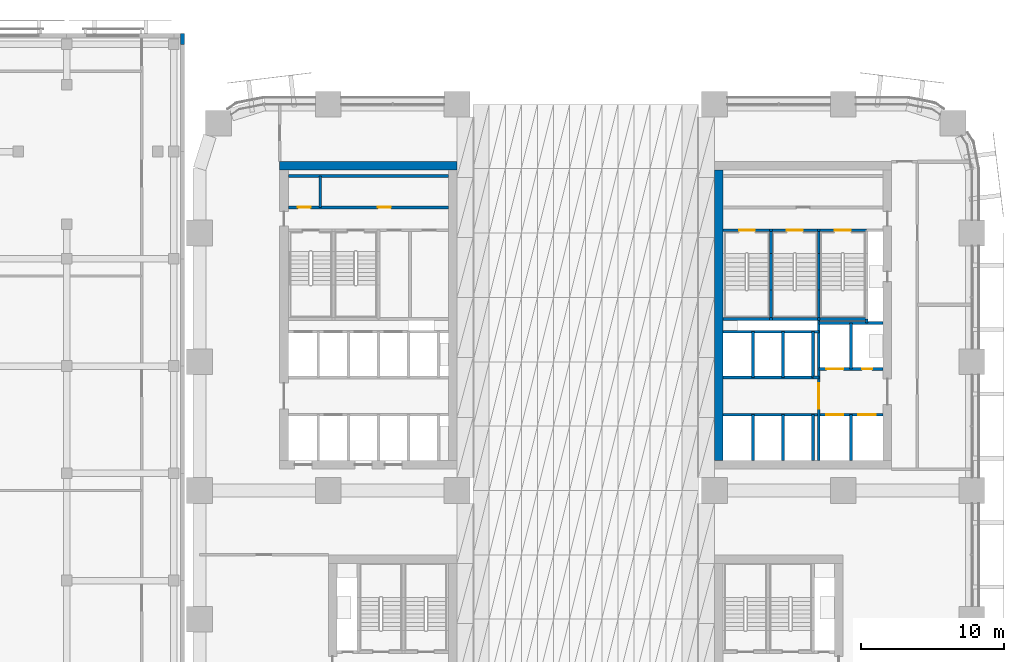
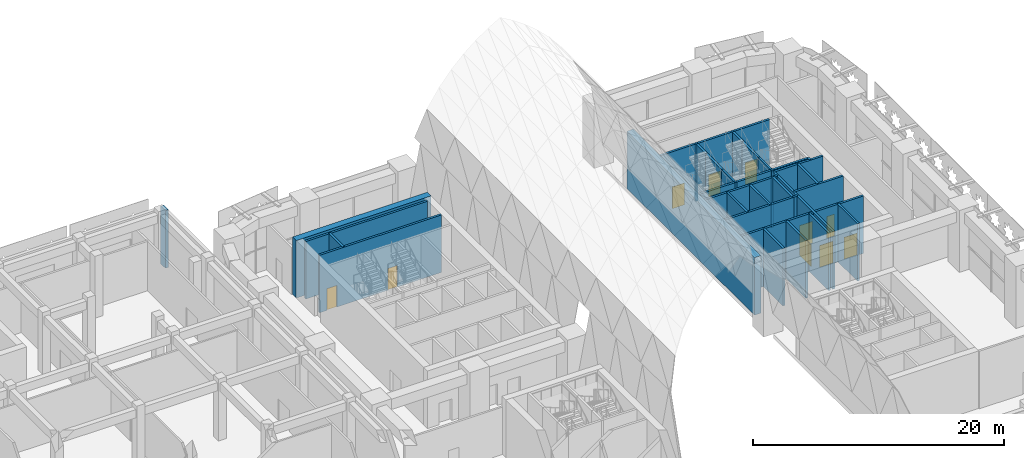
# One storey, part 21 of 46: 38 walls, 10 doors, 10 openings.
"""IFC4 building model written with IfcOpenShell, lengths in metres."""

from ifc_helpers import new_model, si_unit, direction, frame, frame_2d, origin, place, context, subcontext, project, spatial, rectangle, extrude, material, layer, layer_set, type_object, element, fill, save


model = new_model("IFC4")

# Units and contexts
model_context = context("Model", 3, precision=1e-05, world=origin(), true_north=direction((0.0, 1.0)))
body_context = subcontext(model_context, "Body", "Model", "MODEL_VIEW")
ifc_project = project(units=[si_unit("LENGTHUNIT", "METRE"), si_unit("AREAUNIT", "SQUARE_METRE"), si_unit("VOLUMEUNIT", "CUBIC_METRE"), si_unit("PLANEANGLEUNIT", "RADIAN"), si_unit("MASSUNIT", "GRAM", prefix="KILO")], contexts=[model_context])

# Site, building, storey
site_placement = place(None, origin())
site = spatial("IfcSite", under=ifc_project, at=site_placement, CompositionType="ELEMENT")
building_placement = place(site_placement, origin())
building = spatial("IfcBuilding", under=site, at=building_placement, Name="Tessera Arch", CompositionType="ELEMENT")
storey_placement = place(building_placement, frame((0.0, 0.0, 8.0)))
storey = spatial("IfcBuildingStorey", under=building, at=storey_placement, Name="L01", CompositionType="ELEMENT", Elevation=8.0)

# Walls
ifc_material_1 = material(Name="Gypsum board on steel stud", Category="steel")
ifc_layer_1 = layer(ifc_material_1, 0.125)
ifc_layer_set_1 = layer_set([ifc_layer_1], Name="Core partition 125 EI 60")
wall_type_1 = type_object("IfcWallType", Name="Core partition 125 EI 60", PredefinedType="PARTITIONING", material=ifc_layer_set_1)
wall_1_placement = place(storey_placement, frame((42.89990234375, 34.89990234375, 0.0), z_axis=(0.0, 0.0, 1.0), x_axis=(1.0, 0.0, 0.0)))
element("IfcWall", 1, at=wall_1_placement, inside=storey, type_object=wall_type_1, Name="L01 C1 partition wall 21", PredefinedType="PARTITIONING", context=body_context, shape_type="SweptSolid", body=[
    extrude(rectangle(XDim=0.400146484375, YDim=0.199951171875, at=frame_2d((0.2001953125, 0.0))), origin(), (0.0, 0.0, 1.0), 5.590087890625),
])
wall_2_placement = place(storey_placement, frame((8.43994140625, 46.800048828125, 0.0), z_axis=(0.0, 0.0, 1.0), x_axis=(0.0, 1.0, 0.0)))
element("IfcWall", 2, at=wall_2_placement, inside=storey, type_object=wall_type_1, Name="L01 C2 partition wall 3", PredefinedType="PARTITIONING", context=body_context, shape_type="SweptSolid", body=[
    extrude(rectangle(XDim=2.199951171875, YDim=0.199951171875, at=frame_2d((1.10009765625, 0.0))), origin(), (0.0, 0.0, 1.0), 5.590087890625),
])

# Wall, openings, doors
wall_3_placement = place(storey_placement, frame((6.199951171875, 46.800048828125, 0.0), z_axis=(0.0, 0.0, 1.0), x_axis=(1.0, 0.0, 0.0)))
wall_3 = element("IfcWall", 3, at=wall_3_placement, inside=storey, type_object=wall_type_1, Name="L01 C2 partition wall 30", PredefinedType="PARTITIONING", context=body_context, shape_type="SweptSolid", body=[
    extrude(rectangle(XDim=11.199951171875, YDim=0.199951171875, at=frame_2d((5.60009765625, 0.0))), origin(), (0.0, 0.0, 1.0), 5.590087890625),
])
opening_1_placement = place(wall_3_placement, frame((0.669921875, 0.0, 0.0)))
opening_1 = element("IfcOpeningElement", 4, at=opening_1_placement, cuts=wall_3, Name="Opening L01-C25", PredefinedType="OPENING", context=body_context, shape_type="SweptSolid", body=[
    extrude(rectangle(XDim=0.89990234375, YDim=2.10009765625, at=frame_2d((0.449951171875, 1.050048828125))), frame((0.0, 0.10986328125, 0.0), z_axis=(0.0, -1.0, 0.0), x_axis=(1.0, 0.0, 0.0)), (0.0, 0.0, 1.0), 0.219970703125),
])
opening_2_placement = place(wall_3_placement, frame((6.27001953125, 0.0, 0.0)))
opening_2 = element("IfcOpeningElement", 5, at=opening_2_placement, cuts=wall_3, Name="Opening L01-C26", PredefinedType="OPENING", context=body_context, shape_type="SweptSolid", body=[
    extrude(rectangle(XDim=0.89990234375, YDim=2.10009765625, at=frame_2d((0.449951171875, 1.050048828125))), frame((0.0, 0.10986328125, 0.0), z_axis=(0.0, -1.0, 0.0), x_axis=(1.0, 0.0, 0.0)), (0.0, 0.0, 1.0), 0.219970703125),
])
ifc_material_2 = material(Name="Steel door leaf", Category="steel")
door_type_1 = type_object("IfcDoorType", Name="Store door FD30S 900 x 2100", OperationType="SINGLE_SWING_LEFT", PredefinedType="DOOR", material=ifc_material_2)
door_1_placement = place(opening_1_placement, origin())
door_1 = element("IfcDoor", 6, at=door_1_placement, inside=storey, type_object=door_type_1, Name="L01 C2 door 13 C25 type D09", OperationType="SINGLE_SWING_LEFT", OverallHeight=2.10009765625, OverallWidth=0.89990234375, PredefinedType="DOOR", context=body_context, shape_type="SweptSolid", body=[
    extrude(rectangle(XDim=0.89990234375, YDim=2.10009765625, at=frame_2d((0.449951171875, 1.050048828125))), frame((0.0, 0.02490234375, 0.0), z_axis=(0.0, -1.0, 0.0), x_axis=(1.0, 0.0, 0.0)), (0.0, 0.0, 1.0), 0.050048828125),
])
fill(opening_1, door_1)
door_2_placement = place(opening_2_placement, origin())
door_2 = element("IfcDoor", 7, at=door_2_placement, inside=storey, type_object=door_type_1, Name="L01 C2 door 14 C26 type D09", OperationType="SINGLE_SWING_RIGHT", OverallHeight=2.10009765625, OverallWidth=0.89990234375, PredefinedType="DOOR", context=body_context, shape_type="SweptSolid", body=[
    extrude(rectangle(XDim=0.89990234375, YDim=2.10009765625, at=frame_2d((0.449951171875, 1.050048828125))), frame((0.0, 0.02490234375, 0.0), z_axis=(0.0, -1.0, 0.0), x_axis=(1.0, 0.0, 0.0)), (0.0, 0.0, 1.0), 0.050048828125),
])
fill(opening_2, door_2)

# Walls
wall_4_placement = place(storey_placement, frame((6.199951171875, 49.0, 0.0), z_axis=(0.0, 0.0, 1.0), x_axis=(1.0, 0.0, 0.0)))
element("IfcWall", 8, at=wall_4_placement, inside=storey, type_object=wall_type_1, Name="L01 C2 partition wall 31", PredefinedType="PARTITIONING", context=body_context, shape_type="SweptSolid", body=[
    extrude(rectangle(XDim=11.199951171875, YDim=0.199951171875, at=frame_2d((5.60009765625, 0.0))), origin(), (0.0, 0.0, 1.0), 5.590087890625),
])
ifc_material_3 = material(Name="Concrete C70/85", Category="concrete")
ifc_layer_2 = layer(ifc_material_3, 0.60009765625)
ifc_layer_set_2 = layer_set([ifc_layer_2], Name="Core shell wall 600 C70-85")
wall_type_2 = type_object("IfcWallType", Name="Core shell wall 600 C70-85", PredefinedType="SHEAR", material=ifc_layer_set_2)
wall_5_placement = place(storey_placement, frame((36.300048828125, 29.10009765625, 0.0), z_axis=(0.0, 0.0, 1.0), x_axis=(0.0, 1.0, 0.0)))
element("IfcWall", 9, at=wall_5_placement, inside=storey, type_object=wall_type_2, Name="L01 C1 core wall W", PredefinedType="SHEAR", context=body_context, shape_type="SweptSolid", body=[
    extrude(rectangle(XDim=20.2998046875, YDim=0.60009765625, at=frame_2d((10.14990234375, 0.0))), origin(), (0.0, 0.0, 1.0), 5.590087890625),
])
wall_6_placement = place(storey_placement, frame((5.60009765625, 49.699951171875, 0.0), z_axis=(0.0, 0.0, 1.0), x_axis=(1.0, 0.0, 0.0)))
element("IfcWall", 10, at=wall_6_placement, inside=storey, type_object=wall_type_2, Name="L01 C2 core wall N", PredefinedType="SHEAR", context=body_context, shape_type="SweptSolid", body=[
    extrude(rectangle(XDim=12.39990234375, YDim=0.60009765625, at=frame_2d((6.199951171875, 0.0))), origin(), (0.0, 0.0, 1.0), 5.590087890625),
])
ifc_material_4 = material(Name="Concrete C40/50", Category="concrete")
ifc_layer_3 = layer(ifc_material_4, 0.300048828125)
ifc_layer_set_3 = layer_set([ifc_layer_3], Name="Museum fire wall")
wall_type_3 = type_object("IfcWallType", Name="Museum fire wall", PredefinedType="SOLIDWALL", material=ifc_layer_set_3)
wall_7_placement = place(storey_placement, frame((-1.199951171875, 58.199951171875, 0.0), z_axis=(0.0, 0.0, 1.0), x_axis=(0.0, 1.0, 0.0)))
element("IfcWall", 11, at=wall_7_placement, inside=storey, type_object=wall_type_3, Name="Museum fire wall at the movement joint", PredefinedType="SOLIDWALL", context=body_context, shape_type="SweptSolid", body=[
    extrude(rectangle(XDim=0.75, YDim=0.300048828125, at=frame_2d((0.375, 0.0))), origin(), (0.0, 0.0, 1.0), 5.590087890625),
])
ifc_material_5 = material(Name="Concrete C40/50", Category="concrete")
ifc_layer_4 = layer(ifc_material_5, 0.199951171875)
ifc_layer_set_4 = layer_set([ifc_layer_4], Name="Shaft wall 200 EI 120")
wall_type_4 = type_object("IfcWallType", Name="Shaft wall 200 EI 120", PredefinedType="SOLIDWALL", material=ifc_layer_set_4)
wall_8_placement = place(storey_placement, frame((38.699951171875, 29.10009765625, 0.0), z_axis=(0.0, 0.0, 1.0), x_axis=(0.0, 1.0, 0.0)))
element("IfcWall", 12, at=wall_8_placement, inside=storey, type_object=wall_type_4, Name="L01 C1 shaft wall 1", PredefinedType="SOLIDWALL", context=body_context, shape_type="SweptSolid", body=[
    extrude(rectangle(XDim=3.199951171875, YDim=0.199951171875, at=frame_2d((1.60009765625, 0.0))), origin(), (0.0, 0.0, 1.0), 5.590087890625),
])
wall_9_placement = place(storey_placement, frame((38.699951171875, 34.89990234375, 0.0), z_axis=(0.0, 0.0, 1.0), x_axis=(0.0, 1.0, 0.0)))
element("IfcWall", 13, at=wall_9_placement, inside=storey, type_object=wall_type_4, Name="L01 C1 shaft wall 2", PredefinedType="SOLIDWALL", context=body_context, shape_type="SweptSolid", body=[
    extrude(rectangle(XDim=3.2001953125, YDim=0.199951171875, at=frame_2d((1.60009765625, 0.0))), origin(), (0.0, 0.0, 1.0), 5.590087890625),
])
wall_10_placement = place(storey_placement, frame((40.800048828125, 29.10009765625, 0.0), z_axis=(0.0, 0.0, 1.0), x_axis=(0.0, 1.0, 0.0)))
element("IfcWall", 14, at=wall_10_placement, inside=storey, type_object=wall_type_4, Name="L01 C1 shaft wall 6", PredefinedType="SOLIDWALL", context=body_context, shape_type="SweptSolid", body=[
    extrude(rectangle(XDim=3.199951171875, YDim=0.199951171875, at=frame_2d((1.60009765625, 0.0))), origin(), (0.0, 0.0, 1.0), 5.590087890625),
])
wall_11_placement = place(storey_placement, frame((40.800048828125, 34.89990234375, 0.0), z_axis=(0.0, 0.0, 1.0), x_axis=(0.0, 1.0, 0.0)))
element("IfcWall", 15, at=wall_11_placement, inside=storey, type_object=wall_type_4, Name="L01 C1 shaft wall 7", PredefinedType="SOLIDWALL", context=body_context, shape_type="SweptSolid", body=[
    extrude(rectangle(XDim=3.2001953125, YDim=0.199951171875, at=frame_2d((1.60009765625, 0.0))), origin(), (0.0, 0.0, 1.0), 5.590087890625),
])
wall_12_placement = place(storey_placement, frame((42.89990234375, 29.10009765625, 0.0), z_axis=(0.0, 0.0, 1.0), x_axis=(0.0, 1.0, 0.0)))
element("IfcWall", 16, at=wall_12_placement, inside=storey, type_object=wall_type_4, Name="L01 C1 shaft wall 8", PredefinedType="SOLIDWALL", context=body_context, shape_type="SweptSolid", body=[
    extrude(rectangle(XDim=3.199951171875, YDim=0.199951171875, at=frame_2d((1.60009765625, 0.0))), origin(), (0.0, 0.0, 1.0), 5.590087890625),
])
wall_13_placement = place(storey_placement, frame((42.89990234375, 34.89990234375, 0.0), z_axis=(0.0, 0.0, 1.0), x_axis=(0.0, 1.0, 0.0)))
element("IfcWall", 17, at=wall_13_placement, inside=storey, type_object=wall_type_4, Name="L01 C1 shaft wall 9", PredefinedType="SOLIDWALL", context=body_context, shape_type="SweptSolid", body=[
    extrude(rectangle(XDim=3.2001953125, YDim=0.199951171875, at=frame_2d((1.60009765625, 0.0))), origin(), (0.0, 0.0, 1.0), 5.590087890625),
])

# Wall, opening, door
wall_14_placement = place(storey_placement, frame((43.300048828125, 29.10009765625, 0.0), z_axis=(0.0, 0.0, 1.0), x_axis=(0.0, 1.0, 0.0)))
wall_14 = element("IfcWall", 18, at=wall_14_placement, inside=storey, type_object=wall_type_4, Name="L01 C1 shaft wall 10", PredefinedType="SOLIDWALL", context=body_context, shape_type="SweptSolid", body=[
    extrude(rectangle(XDim=9.89990234375, YDim=0.199951171875, at=frame_2d((4.949951171875, 0.0))), origin(), (0.0, 0.0, 1.0), 5.590087890625),
])
opening_3_placement = place(wall_14_placement, frame((3.60009765625, 0.0, 0.0)))
opening_3 = element("IfcOpeningElement", 19, at=opening_3_placement, cuts=wall_14, Name="Opening L01-C04", PredefinedType="OPENING", context=body_context, shape_type="SweptSolid", body=[
    extrude(rectangle(XDim=1.800048828125, YDim=2.10009765625, at=frame_2d((0.89990234375, 1.050048828125))), frame((0.0, 0.10986328125, 0.0), z_axis=(0.0, -1.0, 0.0), x_axis=(1.0, 0.0, 0.0)), (0.0, 0.0, 1.0), 0.219970703125),
])
ifc_material_6 = material(Name="Glazed steel door leaf", Category="steel")
door_type_2 = type_object("IfcDoorType", Name="Lobby double door FD60 1800 x 2100", OperationType="DOUBLE_DOOR_SINGLE_SWING", PredefinedType="DOOR", material=ifc_material_6)
door_3_placement = place(opening_3_placement, origin())
door_3 = element("IfcDoor", 20, at=door_3_placement, inside=storey, type_object=door_type_2, Name="L01 C1 door 4 C04 type D19", OperationType="DOUBLE_DOOR_SINGLE_SWING", OverallHeight=2.10009765625, OverallWidth=1.800048828125, PredefinedType="DOOR", context=body_context, shape_type="SweptSolid", body=[
    extrude(rectangle(XDim=1.800048828125, YDim=2.10009765625, at=frame_2d((0.89990234375, 1.050048828125))), frame((0.0, 0.02490234375, 0.0), z_axis=(0.0, -1.0, 0.0), x_axis=(1.0, 0.0, 0.0)), (0.0, 0.0, 1.0), 0.050048828125),
])
fill(opening_3, door_3)

# Walls
for number, where, z_axis, x_axis, name in (
    (21, (45.550048828125, 29.10009765625, 0.0), (0.0, 0.0, 1.0), (0.0, 1.0, 0.0), "L01 C1 shaft wall 14"),
    (22, (45.550048828125, 35.5, 0.0), (0.0, 0.0, 1.0), (0.0, 1.0, 0.0), "L01 C1 shaft wall 15"),
):
    element("IfcWall", number, at=place(storey_placement, frame(where, z_axis=z_axis, x_axis=x_axis)), inside=storey, type_object=wall_type_4, Name=name, PredefinedType="SOLIDWALL", context=body_context, shape_type="SweptSolid", body=[
        extrude(rectangle(XDim=3.199951171875, YDim=0.199951171875, at=frame_2d((1.60009765625, 0.0))), origin(), (0.0, 0.0, 1.0), 5.590087890625),
    ])
wall_15_placement = place(storey_placement, frame((46.64990234375, 38.699951171875, 0.0), z_axis=(0.0, 0.0, 1.0), x_axis=(0.0, 1.0, 0.0)))
element("IfcWall", 23, at=wall_15_placement, inside=storey, type_object=wall_type_4, Name="L01 C1 shaft wall 16", PredefinedType="SOLIDWALL", context=body_context, shape_type="SweptSolid", body=[
    extrude(rectangle(XDim=0.300048828125, YDim=0.199951171875, at=frame_2d((0.14990234375, 0.0))), origin(), (0.0, 0.0, 1.0), 5.590087890625),
])

# Wall, openings, doors
wall_16_placement = place(storey_placement, frame((36.60009765625, 32.300048828125, 0.0), z_axis=(0.0, 0.0, 1.0), x_axis=(1.0, 0.0, 0.0)))
wall_16 = element("IfcWall", 24, at=wall_16_placement, inside=storey, type_object=wall_type_4, Name="L01 C1 shaft wall 20", PredefinedType="SOLIDWALL", context=body_context, shape_type="SweptSolid", body=[
    extrude(rectangle(XDim=11.199951171875, YDim=0.199951171875, at=frame_2d((5.60009765625, 0.0))), origin(), (0.0, 0.0, 1.0), 5.590087890625),
])
opening_4_placement = place(wall_16_placement, frame((7.22509765625, 0.0, 0.0)))
opening_4 = element("IfcOpeningElement", 25, at=opening_4_placement, cuts=wall_16, Name="Opening L01-C01", PredefinedType="OPENING", context=body_context, shape_type="SweptSolid", body=[
    extrude(rectangle(XDim=1.199951171875, YDim=2.10009765625, at=frame_2d((0.60009765625, 1.050048828125))), frame((0.0, 0.10986328125, 0.0), z_axis=(0.0, -1.0, 0.0), x_axis=(1.0, 0.0, 0.0)), (0.0, 0.0, 1.0), 0.219970703125),
])
opening_5_placement = place(wall_16_placement, frame((9.47509765625, 0.0, 0.0)))
opening_5 = element("IfcOpeningElement", 26, at=opening_5_placement, cuts=wall_16, Name="Opening L01-C02", PredefinedType="OPENING", context=body_context, shape_type="SweptSolid", body=[
    extrude(rectangle(XDim=1.199951171875, YDim=2.10009765625, at=frame_2d((0.60009765625, 1.050048828125))), frame((0.0, 0.10986328125, 0.0), z_axis=(0.0, -1.0, 0.0), x_axis=(1.0, 0.0, 0.0)), (0.0, 0.0, 1.0), 0.219970703125),
])
ifc_material_7 = material(Name="Stainless steel AISI 304", Category="steel")
door_type_3 = type_object("IfcDoorType", Name="Sliding landing door 1200 x 2100", OperationType="SLIDING_TO_LEFT", PredefinedType="DOOR", material=ifc_material_7)
door_4_placement = place(opening_4_placement, origin())
door_4 = element("IfcDoor", 27, at=door_4_placement, inside=storey, type_object=door_type_3, Name="L01 FF1 lift landing door C01 type LD", OperationType="SLIDING_TO_LEFT", OverallHeight=2.10009765625, OverallWidth=1.199951171875, PredefinedType="DOOR", context=body_context, shape_type="SweptSolid", body=[
    extrude(rectangle(XDim=1.199951171875, YDim=2.10009765625, at=frame_2d((0.60009765625, 1.050048828125))), frame((0.0, 0.02490234375, 0.0), z_axis=(0.0, -1.0, 0.0), x_axis=(1.0, 0.0, 0.0)), (0.0, 0.0, 1.0), 0.050048828125),
])
fill(opening_4, door_4)
door_5_placement = place(opening_5_placement, origin())
door_5 = element("IfcDoor", 28, at=door_5_placement, inside=storey, type_object=door_type_3, Name="L01 FF2 lift landing door C02 type LD", OperationType="SLIDING_TO_LEFT", OverallHeight=2.10009765625, OverallWidth=1.199951171875, PredefinedType="DOOR", context=body_context, shape_type="SweptSolid", body=[
    extrude(rectangle(XDim=1.199951171875, YDim=2.10009765625, at=frame_2d((0.60009765625, 1.050048828125))), frame((0.0, 0.02490234375, 0.0), z_axis=(0.0, -1.0, 0.0), x_axis=(1.0, 0.0, 0.0)), (0.0, 0.0, 1.0), 0.050048828125),
])
fill(opening_5, door_5)

# Wall
wall_17_placement = place(storey_placement, frame((36.60009765625, 34.89990234375, 0.0), z_axis=(0.0, 0.0, 1.0), x_axis=(1.0, 0.0, 0.0)))
element("IfcWall", 29, at=wall_17_placement, inside=storey, type_object=wall_type_4, Name="L01 C1 shaft wall 22", PredefinedType="SOLIDWALL", context=body_context, shape_type="SweptSolid", body=[
    extrude(rectangle(XDim=6.2998046875, YDim=0.199951171875, at=frame_2d((3.14990234375, 0.0))), origin(), (0.0, 0.0, 1.0), 5.590087890625),
])

# Wall, openings, doors
wall_18_placement = place(storey_placement, frame((43.300048828125, 35.5, 0.0), z_axis=(0.0, 0.0, 1.0), x_axis=(1.0, 0.0, 0.0)))
wall_18 = element("IfcWall", 30, at=wall_18_placement, inside=storey, type_object=wall_type_4, Name="L01 C1 shaft wall 23", PredefinedType="SOLIDWALL", context=body_context, shape_type="SweptSolid", body=[
    extrude(rectangle(XDim=4.5, YDim=0.199951171875, at=frame_2d((2.25, 0.0))), origin(), (0.0, 0.0, 1.0), 5.590087890625),
])
opening_6_placement = place(wall_18_placement, frame((0.52490234375, 0.0, 0.0)))
opening_6 = element("IfcOpeningElement", 31, at=opening_6_placement, cuts=wall_18, Name="Opening L01-C03", PredefinedType="OPENING", context=body_context, shape_type="SweptSolid", body=[
    extrude(rectangle(XDim=1.199951171875, YDim=2.10009765625, at=frame_2d((0.60009765625, 1.050048828125))), frame((0.0, 0.10986328125, 0.0), z_axis=(0.0, -1.0, 0.0), x_axis=(1.0, 0.0, 0.0)), (0.0, 0.0, 1.0), 0.219970703125),
])
opening_7_placement = place(wall_18_placement, frame((3.02490234375, 0.0, 0.0)))
opening_7 = element("IfcOpeningElement", 32, at=opening_7_placement, cuts=wall_18, Name="Opening L01-C10", PredefinedType="OPENING", context=body_context, shape_type="SweptSolid", body=[
    extrude(rectangle(XDim=0.699951171875, YDim=2.10009765625, at=frame_2d((0.35009765625, 1.050048828125))), frame((0.0, 0.10986328125, 0.0), z_axis=(0.0, -1.0, 0.0), x_axis=(1.0, 0.0, 0.0)), (0.0, 0.0, 1.0), 0.219970703125),
])
ifc_material_8 = material(Name="Steel door leaf", Category="steel")
door_type_4 = type_object("IfcDoorType", Name="Service shaft door FD60 700 x 2100", OperationType="SINGLE_SWING_LEFT", PredefinedType="DOOR", material=ifc_material_8)
door_6_placement = place(opening_7_placement, origin())
door_6 = element("IfcDoor", 33, at=door_6_placement, inside=storey, type_object=door_type_4, Name="L01 C1 door 10 C10 type D07", OperationType="SINGLE_SWING_RIGHT", OverallHeight=2.10009765625, OverallWidth=0.699951171875, PredefinedType="DOOR", context=body_context, shape_type="SweptSolid", body=[
    extrude(rectangle(XDim=0.699951171875, YDim=2.10009765625, at=frame_2d((0.35009765625, 1.050048828125))), frame((0.0, 0.02490234375, 0.0), z_axis=(0.0, -1.0, 0.0), x_axis=(1.0, 0.0, 0.0)), (0.0, 0.0, 1.0), 0.050048828125),
])
fill(opening_7, door_6)
door_7_placement = place(opening_6_placement, origin())
door_7 = element("IfcDoor", 34, at=door_7_placement, inside=storey, type_object=door_type_3, Name="L01 SV2 lift landing door C03 type LD", OperationType="SLIDING_TO_LEFT", OverallHeight=2.10009765625, OverallWidth=1.199951171875, PredefinedType="DOOR", context=body_context, shape_type="SweptSolid", body=[
    extrude(rectangle(XDim=1.199951171875, YDim=2.10009765625, at=frame_2d((0.60009765625, 1.050048828125))), frame((0.0, 0.02490234375, 0.0), z_axis=(0.0, -1.0, 0.0), x_axis=(1.0, 0.0, 0.0)), (0.0, 0.0, 1.0), 0.050048828125),
])
fill(opening_6, door_7)

# Walls
wall_19_placement = place(storey_placement, frame((36.60009765625, 38.10009765625, 0.0), z_axis=(0.0, 0.0, 1.0), x_axis=(1.0, 0.0, 0.0)))
element("IfcWall", 35, at=wall_19_placement, inside=storey, type_object=wall_type_4, Name="L01 C1 shaft wall 24", PredefinedType="SOLIDWALL", context=body_context, shape_type="SweptSolid", body=[
    extrude(rectangle(XDim=6.699951171875, YDim=0.199951171875, at=frame_2d((3.35009765625, 0.0))), origin(), (0.0, 0.0, 1.0), 5.590087890625),
])
wall_20_placement = place(storey_placement, frame((43.300048828125, 38.699951171875, 0.0), z_axis=(0.0, 0.0, 1.0), x_axis=(1.0, 0.0, 0.0)))
element("IfcWall", 36, at=wall_20_placement, inside=storey, type_object=wall_type_4, Name="L01 C1 shaft wall 25", PredefinedType="SOLIDWALL", context=body_context, shape_type="SweptSolid", body=[
    extrude(rectangle(XDim=4.5, YDim=0.199951171875, at=frame_2d((2.25, 0.0))), origin(), (0.0, 0.0, 1.0), 5.590087890625),
])
ifc_material_9 = material(Name="Concrete C40/50", Category="concrete")
ifc_layer_5 = layer(ifc_material_9, 0.199951171875)
ifc_layer_set_5 = layer_set([ifc_layer_5], Name="Stair well wall 200 REI 180")
wall_type_5 = type_object("IfcWallType", Name="Stair well wall 200 REI 180", PredefinedType="SOLIDWALL", material=ifc_layer_set_5)
wall_21_placement = place(storey_placement, frame((39.949951171875, 39.0, 0.0), z_axis=(0.0, 0.0, 1.0), x_axis=(0.0, 1.0, 0.0)))
element("IfcWall", 37, at=wall_21_placement, inside=storey, type_object=wall_type_5, Name="L01 C1 shaft wall 3", PredefinedType="SOLIDWALL", context=body_context, shape_type="SweptSolid", body=[
    extrude(rectangle(XDim=2.02001953125, YDim=0.199951171875, at=frame_2d((1.010009765625, 0.0))), origin(), (0.0, 0.0, 1.0), 5.590087890625),
])
wall_22_placement = place(storey_placement, frame((39.949951171875, 41.02001953125, 0.0), z_axis=(0.0, 0.0, 1.0), x_axis=(0.0, 1.0, 0.0)))
element("IfcWall", 38, at=wall_22_placement, inside=storey, type_object=wall_type_5, Name="L01 C1 shaft wall 4", PredefinedType="SOLIDWALL", context=body_context, shape_type="SweptSolid", body=[
    extrude(rectangle(XDim=2.56005859375, YDim=0.199951171875, at=frame_2d((1.280029296875, 0.0))), origin(), (0.0, 0.0, 1.0), 5.590087890625),
])
wall_23_placement = place(storey_placement, frame((39.949951171875, 43.580078125, 0.0), z_axis=(0.0, 0.0, 1.0), x_axis=(0.0, 1.0, 0.0)))
element("IfcWall", 39, at=wall_23_placement, inside=storey, type_object=wall_type_5, Name="L01 C1 shaft wall 5", PredefinedType="SOLIDWALL", context=body_context, shape_type="SweptSolid", body=[
    extrude(rectangle(XDim=1.619873046875, YDim=0.199951171875, at=frame_2d((0.81005859375, 0.0))), origin(), (0.0, 0.0, 1.0), 5.590087890625),
])
wall_24_placement = place(storey_placement, frame((43.300048828125, 39.0, 0.0), z_axis=(0.0, 0.0, 1.0), x_axis=(0.0, 1.0, 0.0)))
element("IfcWall", 40, at=wall_24_placement, inside=storey, type_object=wall_type_5, Name="L01 C1 shaft wall 11", PredefinedType="SOLIDWALL", context=body_context, shape_type="SweptSolid", body=[
    extrude(rectangle(XDim=2.02001953125, YDim=0.199951171875, at=frame_2d((1.010009765625, 0.0))), origin(), (0.0, 0.0, 1.0), 5.590087890625),
])
wall_25_placement = place(storey_placement, frame((43.300048828125, 41.02001953125, 0.0), z_axis=(0.0, 0.0, 1.0), x_axis=(0.0, 1.0, 0.0)))
element("IfcWall", 41, at=wall_25_placement, inside=storey, type_object=wall_type_5, Name="L01 C1 shaft wall 12", PredefinedType="SOLIDWALL", context=body_context, shape_type="SweptSolid", body=[
    extrude(rectangle(XDim=2.56005859375, YDim=0.199951171875, at=frame_2d((1.280029296875, 0.0))), origin(), (0.0, 0.0, 1.0), 5.590087890625),
])
wall_26_placement = place(storey_placement, frame((43.300048828125, 43.580078125, 0.0), z_axis=(0.0, 0.0, 1.0), x_axis=(0.0, 1.0, 0.0)))
element("IfcWall", 42, at=wall_26_placement, inside=storey, type_object=wall_type_5, Name="L01 C1 shaft wall 13", PredefinedType="SOLIDWALL", context=body_context, shape_type="SweptSolid", body=[
    extrude(rectangle(XDim=1.619873046875, YDim=0.199951171875, at=frame_2d((0.81005859375, 0.0))), origin(), (0.0, 0.0, 1.0), 5.590087890625),
])
wall_27_placement = place(storey_placement, frame((36.60009765625, 39.0, 0.0), z_axis=(0.0, 0.0, 1.0), x_axis=(1.0, 0.0, 0.0)))
element("IfcWall", 43, at=wall_27_placement, inside=storey, type_object=wall_type_5, Name="L01 C1 shaft wall 26", PredefinedType="SOLIDWALL", context=body_context, shape_type="SweptSolid", body=[
    extrude(rectangle(XDim=3.25, YDim=0.199951171875, at=frame_2d((1.625, 0.0))), origin(), (0.0, 0.0, 1.0), 5.590087890625),
])
wall_28_placement = place(storey_placement, frame((39.85009765625, 39.0, 0.0), z_axis=(0.0, 0.0, 1.0), x_axis=(1.0, 0.0, 0.0)))
element("IfcWall", 44, at=wall_28_placement, inside=storey, type_object=wall_type_5, Name="L01 C1 shaft wall 27", PredefinedType="SOLIDWALL", context=body_context, shape_type="SweptSolid", body=[
    extrude(rectangle(XDim=0.199951171875, YDim=0.199951171875, at=frame_2d((0.10009765625, 0.0))), origin(), (0.0, 0.0, 1.0), 5.590087890625),
])
wall_29_placement = place(storey_placement, frame((40.050048828125, 39.0, 0.0), z_axis=(0.0, 0.0, 1.0), x_axis=(1.0, 0.0, 0.0)))
element("IfcWall", 45, at=wall_29_placement, inside=storey, type_object=wall_type_5, Name="L01 C1 shaft wall 28", PredefinedType="SOLIDWALL", context=body_context, shape_type="SweptSolid", body=[
    extrude(rectangle(XDim=3.14990234375, YDim=0.199951171875, at=frame_2d((1.574951171875, 0.0))), origin(), (0.0, 0.0, 1.0), 5.590087890625),
])
wall_30_placement = place(storey_placement, frame((43.199951171875, 39.0, 0.0), z_axis=(0.0, 0.0, 1.0), x_axis=(1.0, 0.0, 0.0)))
element("IfcWall", 46, at=wall_30_placement, inside=storey, type_object=wall_type_5, Name="L01 C1 shaft wall 29", PredefinedType="SOLIDWALL", context=body_context, shape_type="SweptSolid", body=[
    extrude(rectangle(XDim=0.199951171875, YDim=0.199951171875, at=frame_2d((0.10009765625, 0.0))), origin(), (0.0, 0.0, 1.0), 5.590087890625),
])
wall_31_placement = place(storey_placement, frame((43.39990234375, 39.0, 0.0), z_axis=(0.0, 0.0, 1.0), x_axis=(1.0, 0.0, 0.0)))
element("IfcWall", 47, at=wall_31_placement, inside=storey, type_object=wall_type_5, Name="L01 C1 shaft wall 30", PredefinedType="SOLIDWALL", context=body_context, shape_type="SweptSolid", body=[
    extrude(rectangle(XDim=3.25, YDim=0.199951171875, at=frame_2d((1.625, 0.0))), origin(), (0.0, 0.0, 1.0), 5.590087890625),
])

# Wall, opening, door
wall_32_placement = place(storey_placement, frame((36.60009765625, 45.199951171875, 0.0), z_axis=(0.0, 0.0, 1.0), x_axis=(1.0, 0.0, 0.0)))
wall_32 = element("IfcWall", 48, at=wall_32_placement, inside=storey, type_object=wall_type_5, Name="L01 C1 shaft wall 32", PredefinedType="SOLIDWALL", context=body_context, shape_type="SweptSolid", body=[
    extrude(rectangle(XDim=3.25, YDim=0.199951171875, at=frame_2d((1.625, 0.0))), origin(), (0.0, 0.0, 1.0), 5.590087890625),
])
opening_8_placement = place(wall_32_placement, frame((1.125, 0.0, 0.0)))
opening_8 = element("IfcOpeningElement", 49, at=opening_8_placement, cuts=wall_32, Name="Opening L01-C05", PredefinedType="OPENING", context=body_context, shape_type="SweptSolid", body=[
    extrude(rectangle(XDim=1.10009765625, YDim=2.10009765625, at=frame_2d((0.550048828125, 1.050048828125))), frame((0.0, 0.10986328125, 0.0), z_axis=(0.0, -1.0, 0.0), x_axis=(1.0, 0.0, 0.0)), (0.0, 0.0, 1.0), 0.219970703125),
])
ifc_material_10 = material(Name="Steel door leaf", Category="steel")
door_type_5 = type_object("IfcDoorType", Name="Stair door FD60 1100 x 2100", OperationType="SINGLE_SWING_LEFT", PredefinedType="DOOR", material=ifc_material_10)
door_8_placement = place(opening_8_placement, origin())
door_8 = element("IfcDoor", 50, at=door_8_placement, inside=storey, type_object=door_type_5, Name="L01 C1 door 5 C05 type D05", OperationType="SINGLE_SWING_RIGHT", OverallHeight=2.10009765625, OverallWidth=1.10009765625, PredefinedType="DOOR", context=body_context, shape_type="SweptSolid", body=[
    extrude(rectangle(XDim=1.10009765625, YDim=2.10009765625, at=frame_2d((0.550048828125, 1.050048828125))), frame((0.0, 0.02490234375, 0.0), z_axis=(0.0, -1.0, 0.0), x_axis=(1.0, 0.0, 0.0)), (0.0, 0.0, 1.0), 0.050048828125),
])
fill(opening_8, door_8)

# Wall
wall_33_placement = place(storey_placement, frame((39.85009765625, 45.199951171875, 0.0), z_axis=(0.0, 0.0, 1.0), x_axis=(1.0, 0.0, 0.0)))
element("IfcWall", 51, at=wall_33_placement, inside=storey, type_object=wall_type_5, Name="L01 C1 shaft wall 33", PredefinedType="SOLIDWALL", context=body_context, shape_type="SweptSolid", body=[
    extrude(rectangle(XDim=0.199951171875, YDim=0.199951171875, at=frame_2d((0.10009765625, 0.0))), origin(), (0.0, 0.0, 1.0), 5.590087890625),
])

# Wall, opening, door
wall_34_placement = place(storey_placement, frame((40.050048828125, 45.199951171875, 0.0), z_axis=(0.0, 0.0, 1.0), x_axis=(1.0, 0.0, 0.0)))
wall_34 = element("IfcWall", 52, at=wall_34_placement, inside=storey, type_object=wall_type_5, Name="L01 C1 shaft wall 34", PredefinedType="SOLIDWALL", context=body_context, shape_type="SweptSolid", body=[
    extrude(rectangle(XDim=3.14990234375, YDim=0.199951171875, at=frame_2d((1.574951171875, 0.0))), origin(), (0.0, 0.0, 1.0), 5.590087890625),
])
opening_9_placement = place(wall_34_placement, frame((1.02490234375, 0.0, 0.0)))
opening_9 = element("IfcOpeningElement", 53, at=opening_9_placement, cuts=wall_34, Name="Opening L01-C06", PredefinedType="OPENING", context=body_context, shape_type="SweptSolid", body=[
    extrude(rectangle(XDim=1.10009765625, YDim=2.10009765625, at=frame_2d((0.550048828125, 1.050048828125))), frame((0.0, 0.10986328125, 0.0), z_axis=(0.0, -1.0, 0.0), x_axis=(1.0, 0.0, 0.0)), (0.0, 0.0, 1.0), 0.219970703125),
])
door_9_placement = place(opening_9_placement, origin())
door_9 = element("IfcDoor", 54, at=door_9_placement, inside=storey, type_object=door_type_5, Name="L01 C1 door 6 C06 type D05", OperationType="SINGLE_SWING_LEFT", OverallHeight=2.10009765625, OverallWidth=1.10009765625, PredefinedType="DOOR", context=body_context, shape_type="SweptSolid", body=[
    extrude(rectangle(XDim=1.10009765625, YDim=2.10009765625, at=frame_2d((0.550048828125, 1.050048828125))), frame((0.0, 0.02490234375, 0.0), z_axis=(0.0, -1.0, 0.0), x_axis=(1.0, 0.0, 0.0)), (0.0, 0.0, 1.0), 0.050048828125),
])
fill(opening_9, door_9)

# Wall
wall_35_placement = place(storey_placement, frame((43.199951171875, 45.199951171875, 0.0), z_axis=(0.0, 0.0, 1.0), x_axis=(1.0, 0.0, 0.0)))
element("IfcWall", 55, at=wall_35_placement, inside=storey, type_object=wall_type_5, Name="L01 C1 shaft wall 35", PredefinedType="SOLIDWALL", context=body_context, shape_type="SweptSolid", body=[
    extrude(rectangle(XDim=0.199951171875, YDim=0.199951171875, at=frame_2d((0.10009765625, 0.0))), origin(), (0.0, 0.0, 1.0), 5.590087890625),
])

# Wall, opening, door
wall_36_placement = place(storey_placement, frame((43.39990234375, 45.199951171875, 0.0), z_axis=(0.0, 0.0, 1.0), x_axis=(1.0, 0.0, 0.0)))
wall_36 = element("IfcWall", 56, at=wall_36_placement, inside=storey, type_object=wall_type_5, Name="L01 C1 shaft wall 36", PredefinedType="SOLIDWALL", context=body_context, shape_type="SweptSolid", body=[
    extrude(rectangle(XDim=3.25, YDim=0.199951171875, at=frame_2d((1.625, 0.0))), origin(), (0.0, 0.0, 1.0), 5.590087890625),
])
opening_10_placement = place(wall_36_placement, frame((1.02490234375, 0.0, 0.0)))
opening_10 = element("IfcOpeningElement", 57, at=opening_10_placement, cuts=wall_36, Name="Opening L01-C07", PredefinedType="OPENING", context=body_context, shape_type="SweptSolid", body=[
    extrude(rectangle(XDim=1.10009765625, YDim=2.10009765625, at=frame_2d((0.550048828125, 1.050048828125))), frame((0.0, 0.10986328125, 0.0), z_axis=(0.0, -1.0, 0.0), x_axis=(1.0, 0.0, 0.0)), (0.0, 0.0, 1.0), 0.219970703125),
])
door_10_placement = place(opening_10_placement, origin())
door_10 = element("IfcDoor", 58, at=door_10_placement, inside=storey, type_object=door_type_5, Name="L01 C1 door 7 C07 type D05", OperationType="SINGLE_SWING_LEFT", OverallHeight=2.10009765625, OverallWidth=1.10009765625, PredefinedType="DOOR", context=body_context, shape_type="SweptSolid", body=[
    extrude(rectangle(XDim=1.10009765625, YDim=2.10009765625, at=frame_2d((0.550048828125, 1.050048828125))), frame((0.0, 0.02490234375, 0.0), z_axis=(0.0, -1.0, 0.0), x_axis=(1.0, 0.0, 0.0)), (0.0, 0.0, 1.0), 0.050048828125),
])
fill(opening_10, door_10)

save(model, "model.ifc")
